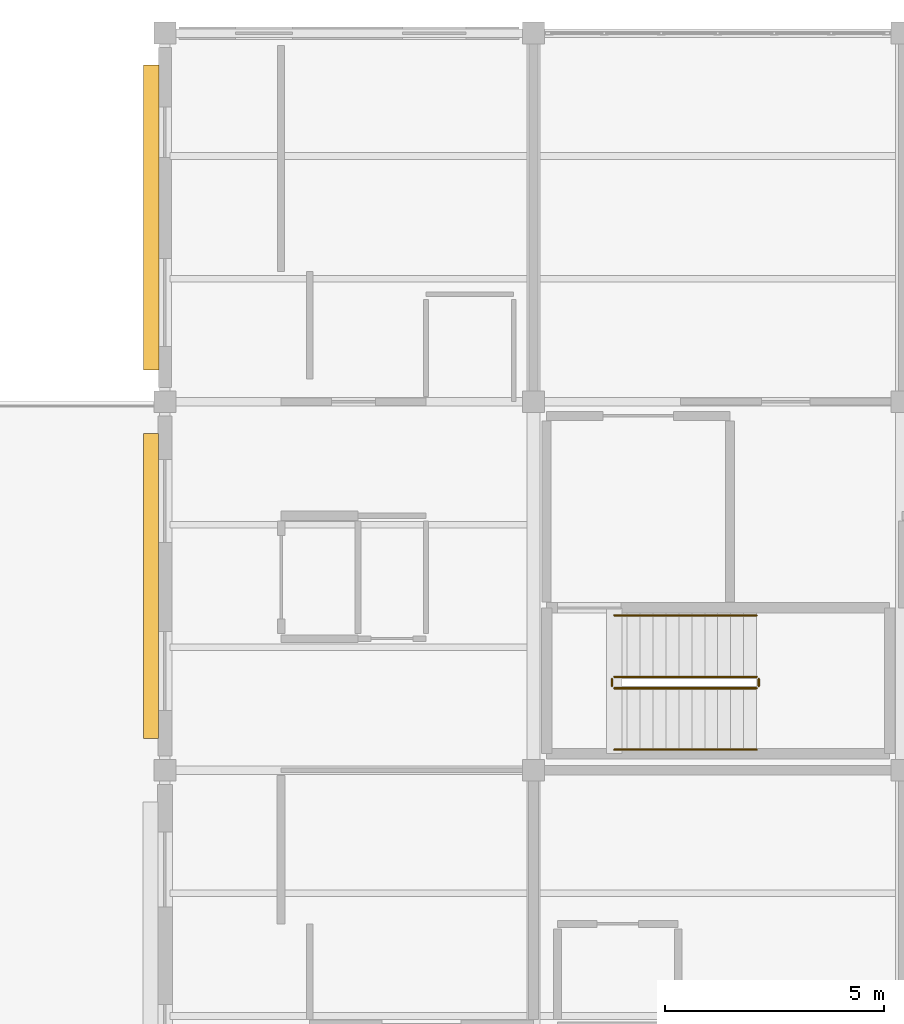
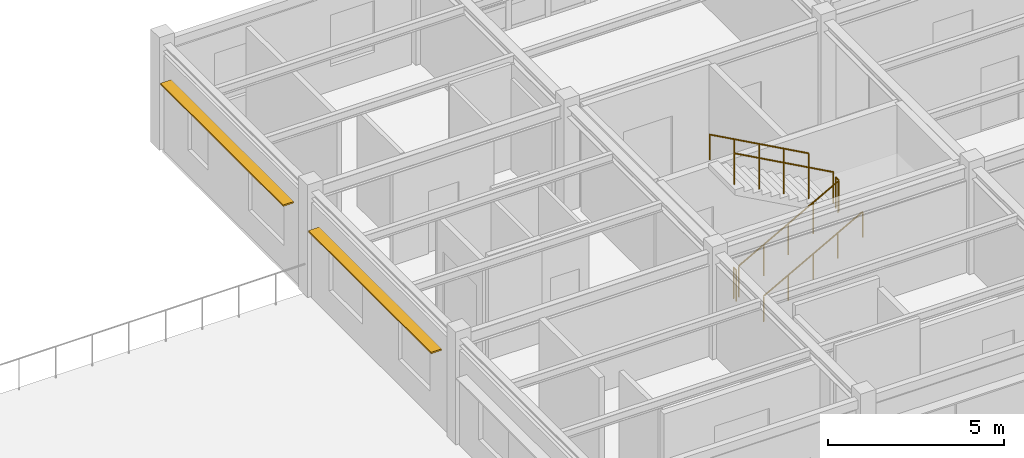
# One storey, part 77 of 86: 6 railings, 2 shading devices.
"""IFC4 building model written with IfcOpenShell, lengths in metres."""

import ifcopenshell
import ifcopenshell.guid

model = None  # the IFC model being written
_history = None  # IfcOwnerHistory: only IFC2X3 demands one
_inside = {}  # id of a spatial element -> (the spatial element, [elements in it])
_under = {}  # id of a project, library or spatial element -> (it, [spatial elements below it])
_declared = {}  # id of a project -> (the project, [libraries it declares])
_typed = {}  # id of a type object -> (the type object, [elements of that type])
_made_of = {}  # id of a material, layer set ... -> (it, [elements and type objects made of it])


def new_model(schema):
    """Start an empty IFC model of exactly this schema.

    Asked for "IFC4X3", IfcOpenShell would pick the latest addendum, in which some entities
    have other attributes; the version numbers below select the first issue.
    IFC2X3 requires an IfcOwnerHistory on every rooted entity: one is made here for all.
    """
    global model, _history
    if schema == "IFC4X3":
        model = ifcopenshell.file(schema_version=(4, 3, 0, 0))
    else:
        model = ifcopenshell.file(schema=schema)
    _inside.clear()
    _under.clear()
    _declared.clear()
    _typed.clear()
    _made_of.clear()
    _history = None
    if model.schema == "IFC2X3":
        org = make("IfcOrganization", Name="unknown")
        user = make(
            "IfcPersonAndOrganization",
            ThePerson=make("IfcPerson", FamilyName="unknown"),
            TheOrganization=org,
        )
        app = make(
            "IfcApplication",
            ApplicationDeveloper=org,
            Version="unknown",
            ApplicationFullName="unknown",
            ApplicationIdentifier="unknown",
        )
        _history = make(
            "IfcOwnerHistory",
            OwningUser=user,
            OwningApplication=app,
            ChangeAction="ADDED",
            CreationDate=0,
        )
    return model


def make(cls, **values):
    """One entity of the class cls with the attributes given. An attribute that is None is left unset."""
    return model.create_entity(
        cls, **{name: value for name, value in values.items() if value is not None}
    )


def rooted(cls, **values):
    """An entity with a GlobalId (a new one), such as an element, a storey or a relation."""
    return make(cls, GlobalId=ifcopenshell.guid.new(), OwnerHistory=_history, **values)


def si_unit(unit_type, name, prefix=None):
    """IfcSIUnit, for example si_unit("LENGTHUNIT", "METRE", prefix="MILLI")."""
    return make("IfcSIUnit", UnitType=unit_type, Prefix=prefix, Name=name)


def assignment(units):
    """IfcUnitAssignment: the units of a project."""
    return None if units is None else make("IfcUnitAssignment", Units=units)


def point(xyz):
    """IfcCartesianPoint."""
    return None if xyz is None else make("IfcCartesianPoint", Coordinates=xyz)


def direction(xyz):
    """IfcDirection."""
    return None if xyz is None else make("IfcDirection", DirectionRatios=xyz)


def frame(location, z_axis=None, x_axis=None):
    """IfcAxis2Placement3D, a coordinate frame: its origin and axes. An axis left out is left unset."""
    return make(
        "IfcAxis2Placement3D",
        Location=point(location),
        Axis=direction(z_axis),
        RefDirection=direction(x_axis),
    )


def frame_2d(location, x_axis=None):
    """IfcAxis2Placement2D, a coordinate frame in the plane: its origin and x axis."""
    return make(
        "IfcAxis2Placement2D", Location=point(location), RefDirection=direction(x_axis)
    )


def origin():
    """The frame at (0, 0, 0) with its axes left unset."""
    return frame((0.0, 0.0, 0.0))


def origin_2d():
    """The frame at (0, 0) in the plane with its x axis left unset."""
    return frame_2d((0.0, 0.0))


def place(relative_to, where):
    """IfcLocalPlacement: puts the frame where relative to a parent placement (None: the world)."""
    return make(
        "IfcLocalPlacement", PlacementRelTo=relative_to, RelativePlacement=where
    )


def context(
    kind, dimensions, precision=None, world=None, true_north=None, identifier=None
):
    """IfcGeometricRepresentationContext, for example the 3D "Model" context."""
    return make(
        "IfcGeometricRepresentationContext",
        ContextIdentifier=identifier,
        ContextType=kind,
        CoordinateSpaceDimension=dimensions,
        Precision=precision,
        WorldCoordinateSystem=world,
        TrueNorth=true_north,
    )


def subcontext(parent, identifier, kind, view, scale=None):
    """IfcGeometricRepresentationSubContext, for example "Body" below "Model"."""
    return make(
        "IfcGeometricRepresentationSubContext",
        ContextIdentifier=identifier,
        ContextType=kind,
        ParentContext=parent,
        TargetScale=scale,
        TargetView=view,
    )


def project(units=None, contexts=None):
    """IfcProject with its units and contexts."""
    return rooted(
        "IfcProject",
        Name="project",
        RepresentationContexts=contexts,
        UnitsInContext=assignment(units),
    )


def spatial(cls, under=None, at=None, **own):
    """A site, building, storey or space (cls), placed at a placement, below another one or the project."""
    s = rooted(cls, ObjectPlacement=at, **own)
    if under is not None:
        _under.setdefault(under.id(), (under, []))[1].append(s)
    return s


def profile(cls, at=None, kind="AREA", **sizes):
    """A parametric profile (cls). Its sizes go by their IFC names, for example OverallWidth=200.0."""
    return make(cls, ProfileType=kind, Position=at, **sizes)


def rectangle(**sizes):
    """IfcRectangleProfileDef."""
    return profile("IfcRectangleProfileDef", **sizes)


def circle(**sizes):
    """IfcCircleProfileDef."""
    return profile("IfcCircleProfileDef", **sizes)


def extrude(swept, where, along, depth):
    """IfcExtrudedAreaSolid: the profile swept, set in the frame where, extruded along a direction by depth."""
    return make(
        "IfcExtrudedAreaSolid",
        SweptArea=swept,
        Position=where,
        ExtrudedDirection=direction(along),
        Depth=depth,
    )


def shape(context_of_items, identifier, shape_type, items):
    """IfcShapeRepresentation: the items that make up one representation, for example the "Body"."""
    return make(
        "IfcShapeRepresentation",
        ContextOfItems=context_of_items,
        RepresentationIdentifier=identifier,
        RepresentationType=shape_type,
        Items=items,
    )


def material(Name=None, Category=None):
    """IfcMaterial."""
    return make("IfcMaterial", Name=Name, Category=Category)


def material_profile(
    of_material, cross_section, Name=None, Category=None, Priority=None
):
    """IfcMaterialProfile: a cross section and its material."""
    return make(
        "IfcMaterialProfile",
        Name=Name,
        Material=of_material,
        Profile=cross_section,
        Priority=Priority,
        Category=Category,
    )


def profile_set(profiles, Name=None, composite=None):
    """IfcMaterialProfileSet."""
    return make(
        "IfcMaterialProfileSet",
        Name=Name,
        MaterialProfiles=profiles,
        CompositeProfile=composite,
    )


def made_of(thing, what):
    """Note that an element or type object is made of a material, layer set ...; save() writes the relation."""
    if what is not None:
        _made_of.setdefault(what.id(), (what, []))[1].append(thing)
    return thing


def type_object(cls, material=None, **own):
    """A type object (cls), such as IfcWallType, which elements share."""
    return made_of(rooted(cls, **own), material)


def element(
    cls,
    number,
    at=None,
    inside=None,
    cuts=None,
    type_object=None,
    material=None,
    context=None,
    identifier="Body",
    shape_type=None,
    held_by="IfcProductDefinitionShape",
    body=None,
    shapes=None,
    **own,
):
    """One element of the class cls, such as IfcWall. Its Tag is "e" and its number.

    at: its placement. inside: the storey or other place that contains it. cuts: it is an
    opening in that element (IfcRelVoidsElement). A single representation is given by context,
    identifier, shape_type and body (its items); several are given by shapes. held_by: the class
    of the entity that holds the representations. save() writes the other relations.
    """
    e = rooted(cls, Tag="e%d" % number, ObjectPlacement=at, **own)
    if body is not None:
        shapes = [shape(context, identifier, shape_type, body)]
    if shapes is not None:
        e.Representation = make(held_by, Representations=shapes)
    if inside is not None:
        _inside.setdefault(inside.id(), (inside, []))[1].append(e)
    if cuts is not None:
        rooted(
            "IfcRelVoidsElement", RelatingBuildingElement=cuts, RelatedOpeningElement=e
        )
    if type_object is not None:
        _typed.setdefault(type_object.id(), (type_object, []))[1].append(e)
    return made_of(e, material)


def aggregate(whole, parts):
    """IfcRelAggregates: a whole, such as a stair, and the parts it consists of."""
    return rooted("IfcRelAggregates", RelatingObject=whole, RelatedObjects=parts)


def save(model, path):
    """Write the relations noted so far, then the file.

    IfcRelAggregates (storeys below a building ...), IfcRelContainedInSpatialStructure (elements
    in a storey), IfcRelDefinesByType, IfcRelAssociatesMaterial and IfcRelDeclares: one each for
    every whole, place, type object, material and project.
    """
    for whole, parts in _under.values():
        aggregate(whole, parts)
    for where, things in _inside.values():
        rooted(
            "IfcRelContainedInSpatialStructure",
            RelatedElements=things,
            RelatingStructure=where,
        )
    for kind, things in _typed.values():
        rooted("IfcRelDefinesByType", RelatedObjects=things, RelatingType=kind)
    for what, things in _made_of.values():
        rooted("IfcRelAssociatesMaterial", RelatedObjects=things, RelatingMaterial=what)
    for by, libraries in _declared.values():
        rooted("IfcRelDeclares", RelatingContext=by, RelatedDefinitions=libraries)
    model.write(path)


model = new_model("IFC4")

# Units and contexts
model_context = context("Model", 3, precision=1e-05, world=origin(), true_north=direction((0.0, 1.0)))
body_context = subcontext(model_context, "Body", "Model", "MODEL_VIEW")
ifc_project = project(units=[si_unit("LENGTHUNIT", "METRE"), si_unit("AREAUNIT", "SQUARE_METRE"), si_unit("VOLUMEUNIT", "CUBIC_METRE"), si_unit("PLANEANGLEUNIT", "RADIAN"), si_unit("MASSUNIT", "GRAM", prefix="KILO")], contexts=[model_context])

# Site, building, storey
site_placement = place(None, origin())
site = spatial("IfcSite", under=ifc_project, at=site_placement, CompositionType="ELEMENT")
building_placement = place(site_placement, origin())
building = spatial("IfcBuilding", under=site, at=building_placement, Name="Bramfleet General Hospital", CompositionType="ELEMENT")
storey_placement = place(building_placement, frame((0.0, 0.0, 18.60009765625)))
storey = spatial("IfcBuildingStorey", under=building, at=storey_placement, Name="L04", CompositionType="ELEMENT", Elevation=18.60009765625)

# Railings
ifc_material_1 = material(Name="Powder-coated steel stair balustrade", Category="steel")
railing_type_1 = type_object("IfcRailingType", Name="RAIL-ST-GUARD", PredefinedType="GUARDRAIL", material=ifc_material_1)
railing_1_placement = place(storey_placement, frame((52.239990234375, 102.669921875, 0.162353515625)))
element("IfcRailing", 1, at=railing_1_placement, inside=storey, type_object=railing_type_1, Name="L04 ST-C14 stair guard 1", PredefinedType="GUARDRAIL", context=body_context, shape_type="SweptSolid", body=[
    extrude(circle(Radius=0.02392578125, at=origin_2d()), frame((0.0, 0.0, 1.076171875), z_axis=(0.875898504189, 0.0, 0.482495399314), x_axis=(0.0, 1.0, 0.0)), (0.0, 0.0, 1.0), 3.704833984375),
    extrude(circle(Radius=0.02099609375, at=origin_2d()), origin(), (0.0, 0.0, 1.0), 1.052001953125),
    extrude(circle(Radius=0.02099609375, at=origin_2d()), frame((0.811279296875, 0.0, 0.44677734375)), (0.0, 0.0, 1.0), 1.052001953125),
    extrude(circle(Radius=0.02099609375, at=origin_2d()), frame((1.62255859375, 0.0, 0.893798828125)), (0.0, 0.0, 1.0), 1.052001953125),
    extrude(circle(Radius=0.02099609375, at=origin_2d()), frame((2.433837890625, 0.0, 1.3408203125)), (0.0, 0.0, 1.0), 1.052001953125),
    extrude(circle(Radius=0.02099609375, at=origin_2d()), frame((3.2451171875, 0.0, 1.78759765625)), (0.0, 0.0, 1.0), 1.052001953125),
])
railing_2_placement = place(storey_placement, frame((55.534912109375, 102.719970703125, 1.949951171875)))
element("IfcRailing", 2, at=railing_2_placement, inside=storey, type_object=railing_type_1, Name="L04 ST-C14 stair guard 2", PredefinedType="GUARDRAIL", context=body_context, shape_type="SweptSolid", body=[
    extrude(circle(Radius=0.02392578125, at=origin_2d()), frame((0.0, 0.0, 1.076171875), z_axis=(0.0, 1.0, 0.0), x_axis=(-1.0, 0.0, 0.0)), (0.0, 0.0, 1.0), 0.159912109375),
    extrude(circle(Radius=0.02099609375, at=origin_2d()), origin(), (0.0, 0.0, 1.0), 1.052001953125),
    extrude(circle(Radius=0.02099609375, at=origin_2d()), frame((0.0, 0.159912109375, 0.0)), (0.0, 0.0, 1.0), 1.052001953125),
])
railing_3_placement = place(storey_placement, frame((55.485107421875, 102.929931640625, 2.1123046875)))
element("IfcRailing", 3, at=railing_3_placement, inside=storey, type_object=railing_type_1, Name="L04 ST-C14 stair guard 3", PredefinedType="GUARDRAIL", context=body_context, shape_type="SweptSolid", body=[
    extrude(circle(Radius=0.02392578125, at=origin_2d()), frame((0.0, 0.0, 1.076171875), z_axis=(-0.875898504189, 0.0, 0.482495399314), x_axis=(0.0, -1.0, 0.0)), (0.0, 0.0, 1.0), 3.704833984375),
    extrude(circle(Radius=0.02099609375, at=origin_2d()), origin(), (0.0, 0.0, 1.0), 1.052001953125),
    extrude(circle(Radius=0.02099609375, at=origin_2d()), frame((-0.811279296875, 0.0, 0.44677734375)), (0.0, 0.0, 1.0), 1.052001953125),
    extrude(circle(Radius=0.02099609375, at=origin_2d()), frame((-1.62255859375, 0.0, 0.893798828125)), (0.0, 0.0, 1.0), 1.052001953125),
    extrude(circle(Radius=0.02099609375, at=origin_2d()), frame((-2.433837890625, 0.0, 1.3408203125)), (0.0, 0.0, 1.0), 1.052001953125),
    extrude(circle(Radius=0.02099609375, at=origin_2d()), frame((-3.2451171875, 0.0, 1.78759765625)), (0.0, 0.0, 1.0), 1.052001953125),
])
railing_4_placement = place(storey_placement, frame((52.18994140625, 102.719970703125, 0.0)))
element("IfcRailing", 4, at=railing_4_placement, inside=storey, type_object=railing_type_1, Name="L04 ST-C14 stair guard 4", PredefinedType="GUARDRAIL", context=body_context, shape_type="SweptSolid", body=[
    extrude(circle(Radius=0.02392578125, at=origin_2d()), frame((0.0, 0.0, 1.076171875), z_axis=(0.0, 1.0, 0.0), x_axis=(-1.0, 0.0, 0.0)), (0.0, 0.0, 1.0), 0.159912109375),
    extrude(circle(Radius=0.02099609375, at=origin_2d()), origin(), (0.0, 0.0, 1.0), 1.052001953125),
    extrude(circle(Radius=0.02099609375, at=origin_2d()), frame((0.0, 0.159912109375, 0.0)), (0.0, 0.0, 1.0), 1.052001953125),
])
ifc_material_2 = material(Name="Stainless steel 1.4301 stair handrail", Category="steel")
railing_type_2 = type_object("IfcRailingType", Name="RAIL-ST-HND", PredefinedType="HANDRAIL", material=ifc_material_2)
railing_5_placement = place(storey_placement, frame((52.239990234375, 101.27001953125, 0.162353515625)))
element("IfcRailing", 5, at=railing_5_placement, inside=storey, type_object=railing_type_2, Name="L04 ST-C14 stair handrail 1", PredefinedType="HANDRAIL", context=body_context, shape_type="SweptSolid", body=[
    extrude(circle(Radius=0.02392578125, at=origin_2d()), frame((0.0, 0.0, 0.8759765625), z_axis=(0.875898504189, 0.0, 0.482495399314), x_axis=(0.0, 1.0, 0.0)), (0.0, 0.0, 1.0), 3.704833984375),
    extrude(circle(Radius=0.02099609375, at=origin_2d()), origin(), (0.0, 0.0, 1.0), 0.851806640625),
    extrude(circle(Radius=0.02099609375, at=origin_2d()), frame((0.811279296875, 0.0, 0.44677734375)), (0.0, 0.0, 1.0), 0.851806640625),
    extrude(circle(Radius=0.02099609375, at=origin_2d()), frame((1.62255859375, 0.0, 0.893798828125)), (0.0, 0.0, 1.0), 0.851806640625),
    extrude(circle(Radius=0.02099609375, at=origin_2d()), frame((2.433837890625, 0.0, 1.3408203125)), (0.0, 0.0, 1.0), 0.851806640625),
    extrude(circle(Radius=0.02099609375, at=origin_2d()), frame((3.2451171875, 0.0, 1.78759765625)), (0.0, 0.0, 1.0), 0.851806640625),
])
railing_6_placement = place(storey_placement, frame((55.485107421875, 104.330078125, 2.1123046875)))
element("IfcRailing", 6, at=railing_6_placement, inside=storey, type_object=railing_type_2, Name="L04 ST-C14 stair handrail 2", PredefinedType="HANDRAIL", context=body_context, shape_type="SweptSolid", body=[
    extrude(circle(Radius=0.02392578125, at=origin_2d()), frame((0.0, 0.0, 0.8759765625), z_axis=(-0.875898504189, 0.0, 0.482495399314), x_axis=(0.0, -1.0, 0.0)), (0.0, 0.0, 1.0), 3.704833984375),
    extrude(circle(Radius=0.02099609375, at=origin_2d()), origin(), (0.0, 0.0, 1.0), 0.851806640625),
    extrude(circle(Radius=0.02099609375, at=origin_2d()), frame((-0.811279296875, 0.0, 0.44677734375)), (0.0, 0.0, 1.0), 0.851806640625),
    extrude(circle(Radius=0.02099609375, at=origin_2d()), frame((-1.62255859375, 0.0, 0.893798828125)), (0.0, 0.0, 1.0), 0.851806640625),
    extrude(circle(Radius=0.02099609375, at=origin_2d()), frame((-2.433837890625, 0.0, 1.3408203125)), (0.0, 0.0, 1.0), 0.851806640625),
    extrude(circle(Radius=0.02099609375, at=origin_2d()), frame((-3.2451171875, 0.0, 1.78759765625)), (0.0, 0.0, 1.0), 0.851806640625),
])

# Shading devices
ifc_material_3 = material(Name="Anodised aluminium EN AW-6063", Category="aluminium")
ifc_material_profile = material_profile(ifc_material_3, rectangle(XDim=0.050048828125, YDim=0.35009765625, at=origin_2d()), Name="ALU LOUVRE 350x50")
ifc_profile_set = profile_set([ifc_material_profile], Name="Anodised aluminium EN AW-6063")
shading_device_type = type_object("IfcShadingDeviceType", Name="SHD-LVR-350", PredefinedType="USERDEFINED", material=ifc_profile_set)
shading_device_1_placement = place(storey_placement, frame((41.6826171875, 101.52490234375, 2.669921875), z_axis=(0.0, 1.0, 0.0), x_axis=(0.0, 0.0, 1.0)))
element("IfcShadingDevice", 7, at=shading_device_1_placement, inside=storey, type_object=shading_device_type, Name="L04 Solar Shading Louvre 5", ObjectType="Louvre", PredefinedType="USERDEFINED", context=body_context, shape_type="SweptSolid", body=[
    extrude(rectangle(XDim=0.050048828125, YDim=0.35009765625, at=origin_2d()), origin(), (0.0, 0.0, 1.0), 6.9501953125),
])
shading_device_2_placement = place(storey_placement, frame((41.6923828125, 109.925048828125, 2.669921875), z_axis=(0.0, 1.0, 0.0), x_axis=(0.0, 0.0, 1.0)))
element("IfcShadingDevice", 8, at=shading_device_2_placement, inside=storey, type_object=shading_device_type, Name="L04 Solar Shading Louvre 6", ObjectType="Louvre", PredefinedType="USERDEFINED", context=body_context, shape_type="SweptSolid", body=[
    extrude(rectangle(XDim=0.050048828125, YDim=0.35009765625, at=origin_2d()), origin(), (0.0, 0.0, 1.0), 6.949951171875),
])

save(model, "model.ifc")
